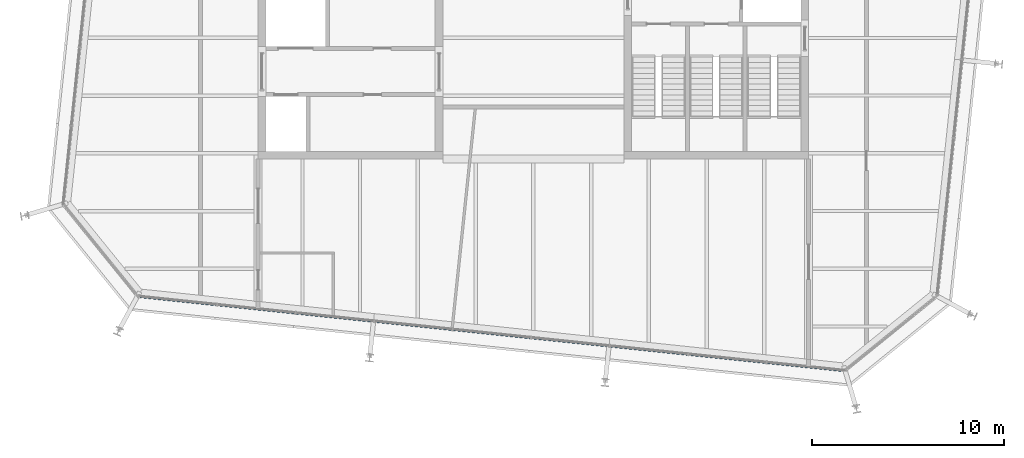
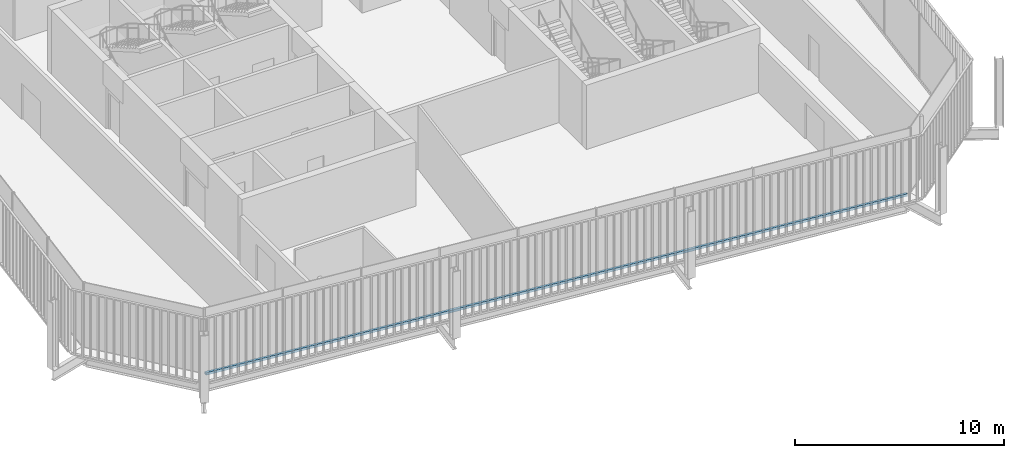
# One storey, part 4 of 20: 1 member, 1 element without a shape of its own.
"""IFC4 building model written with IfcOpenShell, lengths in metres."""

from ifc_helpers import new_model, si_unit, direction, frame, origin, origin_2d, place, context, subcontext, project, spatial, rectangle, extrude, material, layer, layer_set, material_profile, profile_set, type_object, element, aggregate, save


model = new_model("IFC4")

# Units and contexts
model_context = context("Model", 3, precision=1e-05, world=origin(), true_north=direction((0.0, 1.0)))
body_context = subcontext(model_context, "Body", "Model", "MODEL_VIEW")
ifc_project = project(units=[si_unit("LENGTHUNIT", "METRE"), si_unit("AREAUNIT", "SQUARE_METRE"), si_unit("VOLUMEUNIT", "CUBIC_METRE"), si_unit("PLANEANGLEUNIT", "RADIAN"), si_unit("MASSUNIT", "GRAM", prefix="KILO")], contexts=[model_context])

# Site, building, storey
site_placement = place(None, origin())
site = spatial("IfcSite", under=ifc_project, at=site_placement, CompositionType="ELEMENT")
building_placement = place(site_placement, origin())
building = spatial("IfcBuilding", under=site, at=building_placement, Name="Millrace Tower", CompositionType="ELEMENT")
storey_placement = place(building_placement, frame((0.0, 0.0, 279.89990234375)))
storey = spatial("IfcBuildingStorey", under=building, at=storey_placement, Name="L64", CompositionType="ELEMENT", Elevation=279.89990234375)

# Curtain wall, member
ifc_material_1 = material(Name="Aluminium and glass", Category="aluminium")
ifc_layer = layer(ifc_material_1, 0.14990234375)
ifc_layer_set = layer_set([ifc_layer], Name="Aluminium and glass")
curtain_wall_type = type_object("IfcCurtainWallType", Name="CW-1 office vision curtain wall", PredefinedType="NOTDEFINED", material=ifc_layer_set)
curtain_wall_placement = place(storey_placement, origin())
curtain_wall = element("IfcCurtainWall", 1, at=curtain_wall_placement, inside=storey, type_object=curtain_wall_type, Name="Curtain wall E-F02 L64", PredefinedType="NOTDEFINED")
ifc_material_2 = material(Name="Aluminium", Category="aluminium")
ifc_material_profile = material_profile(ifc_material_2, rectangle(XDim=0.14990234375, YDim=0.139892578125, at=origin_2d()))
ifc_profile_set = profile_set([ifc_material_profile], Name="Aluminium")
member_type = type_object("IfcMemberType", Name="CW-1 office vision curtain wall transom", PredefinedType="USERDEFINED", material=ifc_profile_set)
member_placement = place(storey_placement, frame((-20.435302734375, -16.431884765625, 0.070068359375), z_axis=(0.994521952886, -0.104527916025, 0.0), x_axis=(0.104527916025, 0.994521952886, 0.0)))
member = element("IfcMember", 2, at=member_placement, type_object=member_type, Name="CW1 transom E-F02.1", ObjectType="TRANSOM", PredefinedType="USERDEFINED", context=body_context, shape_type="SweptSolid", body=[
    extrude(rectangle(XDim=0.14990234375, YDim=0.139892578125, at=origin_2d()), origin(), (0.0, 0.0, 1.0), 36.699951171875),
])
aggregate(curtain_wall, [member])

save(model, "model.ifc")
